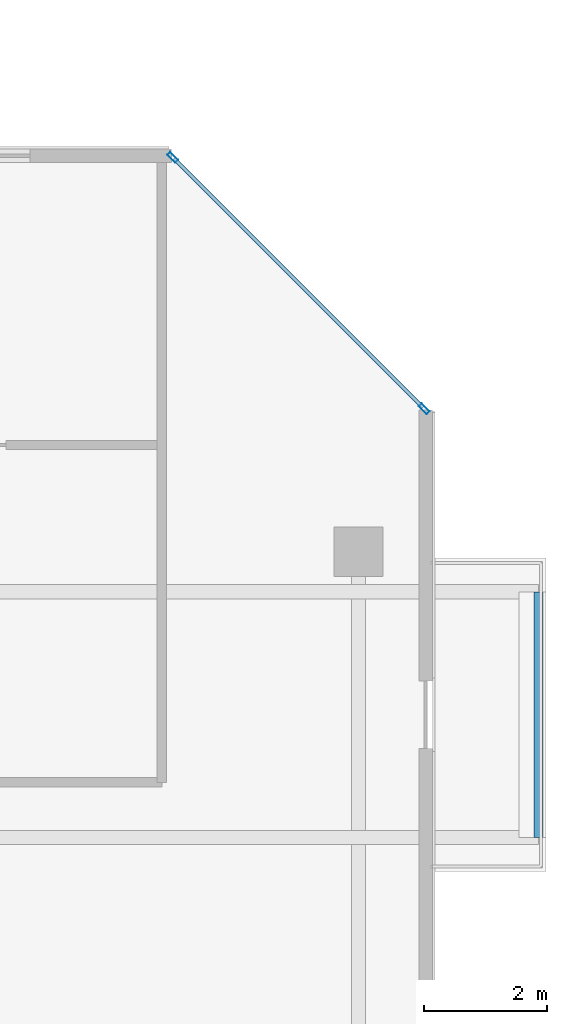
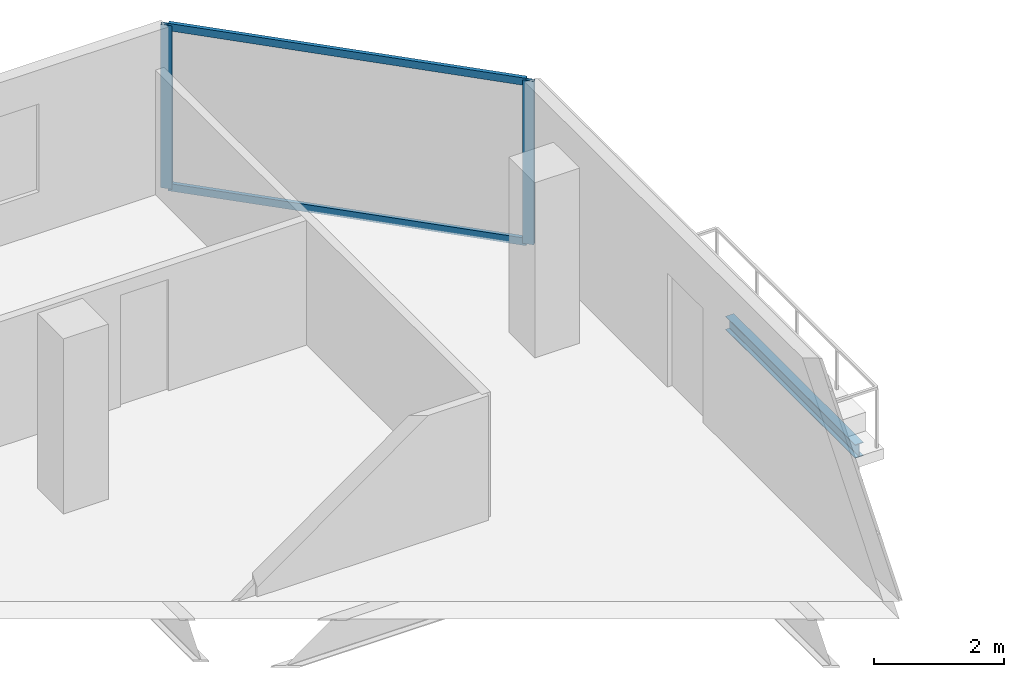
# One storey, part 16 of 29: 4 members, 1 beam, 1 element without a shape of its own.
"""IFC4 building model written with IfcOpenShell, lengths in metres."""

from ifc_helpers import new_model, si_unit, direction, frame, origin, origin_2d, place, context, subcontext, project, spatial, hollow_rectangle, i_section, extrude, material, layer, layer_set, material_profile, profile_set, type_object, element, aggregate, save


model = new_model("IFC4")

# Units and contexts
model_context = context("Model", 3, precision=1e-05, world=origin(), true_north=direction((0.0, 1.0)))
body_context = subcontext(model_context, "Body", "Model", "MODEL_VIEW")
ifc_project = project(units=[si_unit("LENGTHUNIT", "METRE"), si_unit("AREAUNIT", "SQUARE_METRE"), si_unit("VOLUMEUNIT", "CUBIC_METRE"), si_unit("PLANEANGLEUNIT", "RADIAN"), si_unit("MASSUNIT", "GRAM", prefix="KILO")], contexts=[model_context])

# Site, building, storey
site_placement = place(None, origin())
site = spatial("IfcSite", under=ifc_project, at=site_placement, CompositionType="ELEMENT")
building_placement = place(site_placement, origin())
building = spatial("IfcBuilding", under=site, at=building_placement, Name="Tanjung Sevakor Pilgrim Tower", CompositionType="ELEMENT")
storey_placement = place(building_placement, frame((0.0, 0.0, 181.830078125)))
storey = spatial("IfcBuildingStorey", under=building, at=storey_placement, Name="L50", CompositionType="ELEMENT", Elevation=181.830078125)

# Beam
ifc_material_1 = material(Name="Steel S355J2", Category="steel")
ifc_material_profile_1 = material_profile(ifc_material_1, i_section(OverallWidth=0.146484375, OverallDepth=0.256103515625, WebThickness=0.00634765625, FlangeThickness=0.010986328125, FilletRadius=0.007568359375, at=origin_2d()))
ifc_profile_set_1 = profile_set([ifc_material_profile_1], Name="Steel S355J2")
beam_type = type_object("IfcBeamType", Name="BM-B-J6-UB_254x146x37", PredefinedType="JOIST", material=ifc_profile_set_1)
beam_placement = place(storey_placement, frame((101.330078125, 43.949951171875, -0.328125), z_axis=(0.0, 1.0, 0.0), x_axis=(-1.0, 0.0, 0.0)))
element("IfcBeam", 1, at=beam_placement, inside=storey, type_object=beam_type, Name="L50 Balcony Rim Tie MAIN-E1", PredefinedType="JOIST", context=body_context, shape_type="SweptSolid", body=[
    extrude(i_section(OverallWidth=0.146484375, OverallDepth=0.256103515625, WebThickness=0.00634765625, FlangeThickness=0.010986328125, FilletRadius=0.007568359375, at=origin_2d()), origin(), (0.0, 0.0, 1.0), 4.0),
])

# Curtain wall, members
ifc_material_2 = material(Name="Aluminium 6063-T6 and Low-E Glass", Category="aluminium")
ifc_layer = layer(ifc_material_2, 0.179931640625)
ifc_layer_set = layer_set([ifc_layer], Name="CW-SYS-CHAM")
curtain_wall_type = type_object("IfcCurtainWallType", Name="CW-SYS-CHAM", PredefinedType="NOTDEFINED", material=ifc_layer_set)
curtain_wall_placement = place(storey_placement, origin())
curtain_wall = element("IfcCurtainWall", 2, at=curtain_wall_placement, inside=storey, type_object=curtain_wall_type, Name="L50 Curtain Wall CW-CHM-L50-MAIN-7", PredefinedType="NOTDEFINED")
ifc_material_3 = material(Name="Aluminium 6063-T6", Category="aluminium")
ifc_material_profile_2 = material_profile(ifc_material_3, hollow_rectangle(XDim=0.06494140625, YDim=0.179931640625, WallThickness=0.00390625, at=origin_2d()))
ifc_profile_set_2 = profile_set([ifc_material_profile_2], Name="Aluminium 6063-T6")
member_type_1 = type_object("IfcMemberType", Name="TYPE-CWM-1", PredefinedType="MULLION", material=ifc_profile_set_2)
member_1_placement = place(storey_placement, frame((99.467041015625, 50.927490234375, 0.0), z_axis=(0.0, 0.0, 1.0), x_axis=(-0.707106781187, -0.707106781187, 0.0)))
member_1 = element("IfcMember", 3, at=member_1_placement, type_object=member_type_1, Name="CW-CHM mullion 1", PredefinedType="MULLION", context=body_context, shape_type="SweptSolid", body=[
    extrude(hollow_rectangle(XDim=0.06494140625, YDim=0.179931640625, WallThickness=0.00390625, at=origin_2d()), origin(), (0.0, 0.0, 1.0), 3.079833984375),
])
member_2_placement = place(storey_placement, frame((95.37744140625, 55.01708984375, 0.0), z_axis=(0.0, 0.0, 1.0), x_axis=(-0.707106781187, -0.707106781187, 0.0)))
member_2 = element("IfcMember", 4, at=member_2_placement, type_object=member_type_1, Name="CW-CHM mullion 2", PredefinedType="MULLION", context=body_context, shape_type="SweptSolid", body=[
    extrude(hollow_rectangle(XDim=0.06494140625, YDim=0.179931640625, WallThickness=0.00390625, at=origin_2d()), origin(), (0.0, 0.0, 1.0), 3.079833984375),
])
ifc_material_4 = material(Name="Aluminium 6063-T6", Category="aluminium")
ifc_material_profile_3 = material_profile(ifc_material_4, hollow_rectangle(XDim=0.06494140625, YDim=0.139892578125, WallThickness=0.00390625, at=origin_2d()))
ifc_profile_set_3 = profile_set([ifc_material_profile_3], Name="Aluminium 6063-T6")
member_type_2 = type_object("IfcMemberType", Name="TYPE-CWT-1", PredefinedType="USERDEFINED", material=ifc_profile_set_3)
member_3_placement = place(storey_placement, frame((99.444091796875, 50.950439453125, 0.032470703125), z_axis=(-0.707106781187, 0.707106781187, 0.0), x_axis=(-0.707106781187, -0.707106781187, 0.0)))
member_3 = element("IfcMember", 5, at=member_3_placement, type_object=member_type_2, Name="CW-CHM transom 1.1", ObjectType="TRANSOM", PredefinedType="USERDEFINED", context=body_context, shape_type="SweptSolid", body=[
    extrude(hollow_rectangle(XDim=0.06494140625, YDim=0.139892578125, WallThickness=0.00390625, at=origin_2d()), origin(), (0.0, 0.0, 1.0), 5.71875),
])
member_4_placement = place(storey_placement, frame((99.444091796875, 50.950439453125, 3.04736328125), z_axis=(-0.707106781187, 0.707106781187, 0.0), x_axis=(-0.707106781187, -0.707106781187, 0.0)))
member_4 = element("IfcMember", 6, at=member_4_placement, type_object=member_type_2, Name="CW-CHM transom 1.2", ObjectType="TRANSOM", PredefinedType="USERDEFINED", context=body_context, shape_type="SweptSolid", body=[
    extrude(hollow_rectangle(XDim=0.06494140625, YDim=0.139892578125, WallThickness=0.00390625, at=origin_2d()), origin(), (0.0, 0.0, 1.0), 5.71875),
])
aggregate(curtain_wall, [member_1, member_2, member_3, member_4])

save(model, "model.ifc")
